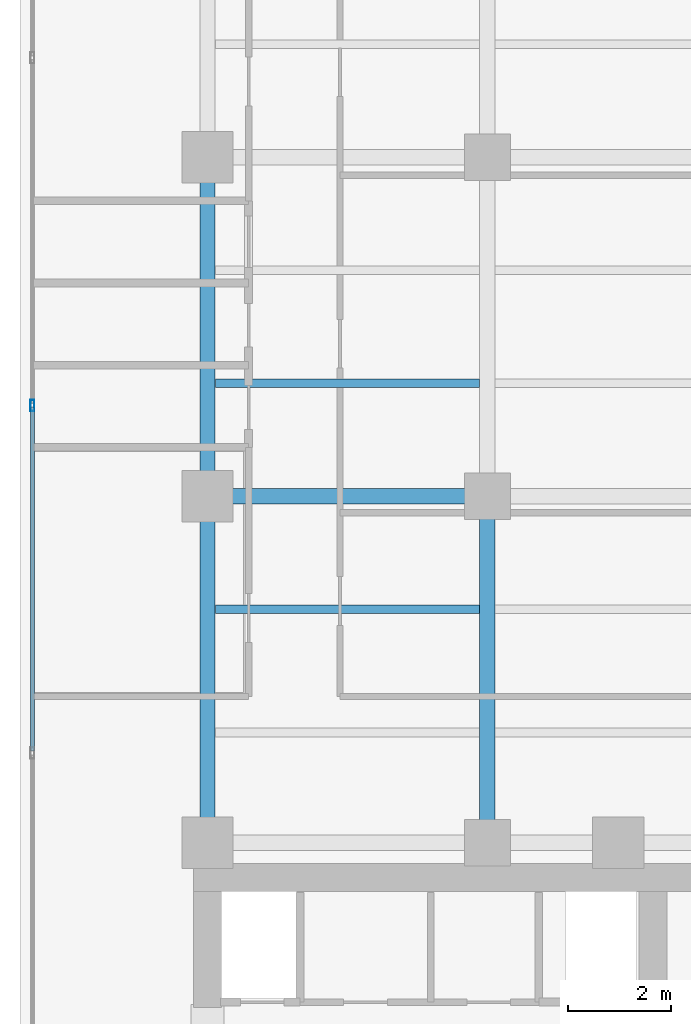
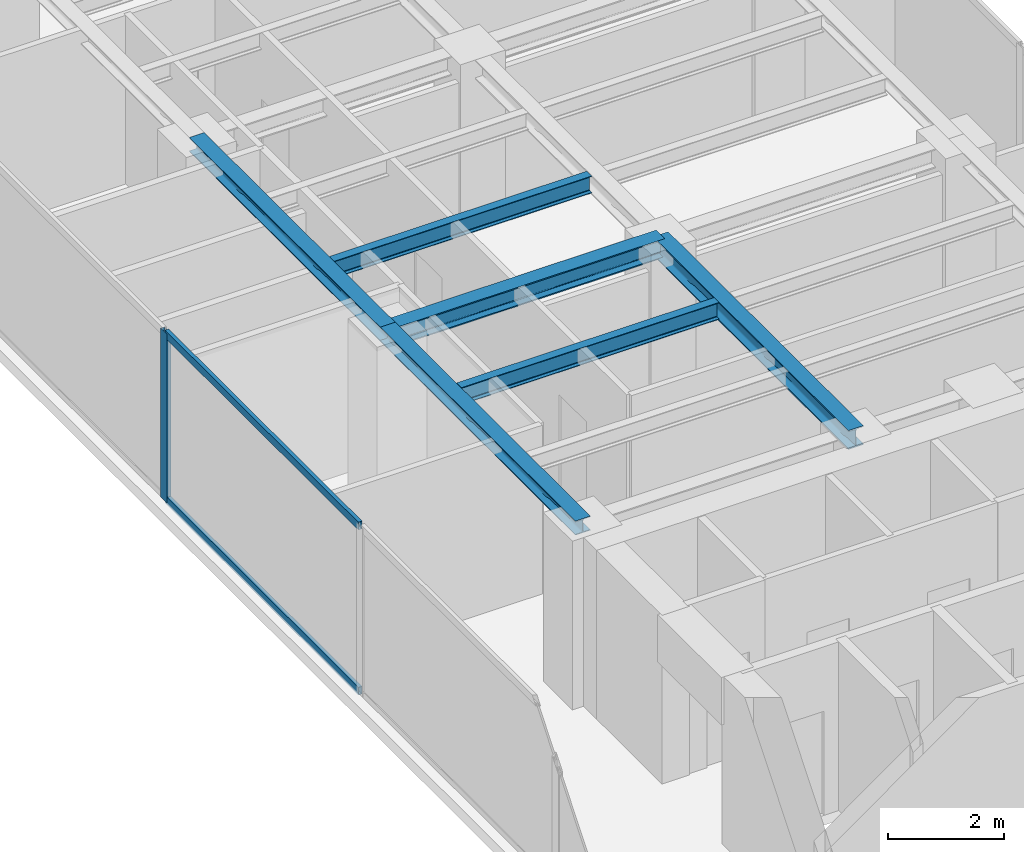
# One storey, part 8 of 24: 6 beams, 3 members, 1 element without a shape of its own.
"""IFC4 building model written with IfcOpenShell, lengths in metres."""

from ifc_helpers import new_model, si_unit, direction, frame, origin, origin_with_axes, origin_2d, place, context, subcontext, project, spatial, hollow_rectangle, i_section, extrude, source, transform, mapped, material, layer, layer_set, material_profile, profile_set, type_object, element, aggregate, save


model = new_model("IFC4")

# Units and contexts
model_context = context("Model", 3, precision=1e-05, world=origin(), true_north=direction((0.0, 1.0)))
body_context = subcontext(model_context, "Body", "Model", "MODEL_VIEW")
ifc_project = project(units=[si_unit("LENGTHUNIT", "METRE"), si_unit("AREAUNIT", "SQUARE_METRE"), si_unit("VOLUMEUNIT", "CUBIC_METRE"), si_unit("PLANEANGLEUNIT", "RADIAN"), si_unit("MASSUNIT", "GRAM", prefix="KILO")], contexts=[model_context])

# Site, building, storey
site_placement = place(None, origin())
site = spatial("IfcSite", under=ifc_project, at=site_placement, CompositionType="ELEMENT")
building_placement = place(site_placement, origin())
building = spatial("IfcBuilding", under=site, at=building_placement, Name="Kolvaren Waterfront Exchange", CompositionType="ELEMENT")
storey_placement = place(building_placement, frame((0.0, 0.0, 238.699951171875)))
storey = spatial("IfcBuildingStorey", under=building, at=storey_placement, Name="L61", CompositionType="ELEMENT", Elevation=238.699951171875)

# Beams
ifc_material_1 = material(Name="Steel S355", Category="steel")
ifc_material_profile_1 = material_profile(ifc_material_1, i_section(OverallWidth=0.300048828125, OverallDepth=0.300048828125, WebThickness=0.010986328125, FlangeThickness=0.01904296875, FilletRadius=0.027099609375, at=origin_2d()), Name="HEB300")
ifc_profile_set_1 = profile_set([ifc_material_profile_1], Name="Steel S355")
beam_type_1 = type_object("IfcBeamType", Name="STR-BM-HEB300", PredefinedType="SPANDREL", material=ifc_profile_set_1)
beam_1_placement = place(storey_placement, frame((7.449951171875, 24.449951171875, 3.41015625), z_axis=(0.0, 1.0, 0.0), x_axis=(-1.0, 0.0, 0.0)))
element("IfcBeam", 1, at=beam_1_placement, inside=storey, type_object=beam_type_1, Name="L61 north-arm edge beam 1", PredefinedType="SPANDREL", context=body_context, shape_type="SweptSolid", body=[
    extrude(i_section(OverallWidth=0.300048828125, OverallDepth=0.300048828125, WebThickness=0.010986328125, FlangeThickness=0.01904296875, FilletRadius=0.027099609375, at=origin_2d()), origin(), (0.0, 0.0, 1.0), 6.75),
])
beam_2_placement = place(storey_placement, frame((7.449951171875, 31.199951171875, 3.41015625), z_axis=(0.0, 1.0, 0.0), x_axis=(-1.0, 0.0, 0.0)))
element("IfcBeam", 2, at=beam_2_placement, inside=storey, type_object=beam_type_1, Name="L61 north-arm edge beam 2", PredefinedType="SPANDREL", context=body_context, shape_type="SweptSolid", body=[
    extrude(i_section(OverallWidth=0.300048828125, OverallDepth=0.300048828125, WebThickness=0.010986328125, FlangeThickness=0.01904296875, FilletRadius=0.027099609375, at=origin_2d()), origin(), (0.0, 0.0, 1.0), 6.60009765625),
])
ifc_material_profile_2 = material_profile(ifc_material_1, i_section(OverallWidth=0.300048828125, OverallDepth=0.39990234375, WebThickness=0.013427734375, FlangeThickness=0.02392578125, FilletRadius=0.027099609375, at=origin_2d()), Name="HEB400")
ifc_profile_set_2 = profile_set([ifc_material_profile_2], Name="Steel S355")
beam_type_2 = type_object("IfcBeamType", Name="STR-BM-HEB400", PredefinedType="BEAM", material=ifc_profile_set_2)
beam_3_placement = place(storey_placement, frame((7.449951171875, 31.199951171875, 3.360107421875), z_axis=(1.0, 0.0, 0.0), x_axis=(0.0, 1.0, 0.0)))
element("IfcBeam", 3, at=beam_3_placement, inside=storey, type_object=beam_type_2, Name="L61 north-arm girder 2A", PredefinedType="BEAM", context=body_context, shape_type="SweptSolid", body=[
    extrude(i_section(OverallWidth=0.300048828125, OverallDepth=0.39990234375, WebThickness=0.013427734375, FlangeThickness=0.02392578125, FilletRadius=0.027099609375, at=origin_2d()), origin(), (0.0, 0.0, 1.0), 5.449951171875),
])
beam_4_placement = place(storey_placement, frame((12.89990234375, 24.449951171875, 3.360107421875), z_axis=(0.0, 1.0, 0.0), x_axis=(-1.0, 0.0, 0.0)))
element("IfcBeam", 4, at=beam_4_placement, inside=storey, type_object=beam_type_2, Name="L61 north-arm edge beam 1", PredefinedType="BEAM", context=body_context, shape_type="SweptSolid", body=[
    extrude(i_section(OverallWidth=0.300048828125, OverallDepth=0.39990234375, WebThickness=0.013427734375, FlangeThickness=0.02392578125, FilletRadius=0.027099609375, at=origin_2d()), origin(), (0.0, 0.0, 1.0), 6.75),
])
ifc_material_profile_3 = material_profile(ifc_material_1, i_section(OverallWidth=0.169921875, OverallDepth=0.360107421875, WebThickness=0.008056640625, FlangeThickness=0.0126953125, FilletRadius=0.01806640625, at=origin_2d()), Name="IPE360")
ifc_profile_set_3 = profile_set([ifc_material_profile_3], Name="Steel S355")
beam_type_3 = type_object("IfcBeamType", Name="STR-BM-IPE360", PredefinedType="JOIST", material=ifc_profile_set_3)
for number, where, z_axis, x_axis, name in (
    (5, (7.60205078125, 29.0, 3.380126953125), (1.0, 0.0, 0.0), (0.0, 1.0, 0.0), "L61 north-arm composite joist 2A"),
    (6, (7.60205078125, 33.39990234375, 3.380126953125), (1.0, 0.0, 0.0), (0.0, 1.0, 0.0), "L61 north-arm composite joist 3A"),
):
    element("IfcBeam", number, at=place(storey_placement, frame(where, z_axis=z_axis, x_axis=x_axis)), inside=storey, type_object=beam_type_3, Name=name, PredefinedType="JOIST", context=body_context, shape_type="SweptSolid", body=[
        extrude(i_section(OverallWidth=0.169921875, OverallDepth=0.360107421875, WebThickness=0.008056640625, FlangeThickness=0.0126953125, FilletRadius=0.01806640625, at=origin_2d()), origin(), (0.0, 0.0, 1.0), 5.14599609375),
    ])

# Curtain wall, members
ifc_material_2 = material(Name="Anodised aluminium 6063-T6", Category="aluminium")
ifc_layer = layer(ifc_material_2, 0.219970703125, Name="Anodised aluminium 6063-T6")
ifc_layer_set = layer_set([ifc_layer], Name="Anodised aluminium 6063-T6")
curtain_wall_type = type_object("IfcCurtainWallType", Name="ARC-CW-SYS2", PredefinedType="USERDEFINED", material=ifc_layer_set)
curtain_wall_placement = place(storey_placement, origin())
curtain_wall = element("IfcCurtainWall", 7, at=curtain_wall_placement, inside=storey, type_object=curtain_wall_type, Name="L61 stick curtain wall CW2 (CW-L61-W)", ObjectType="STICK CURTAIN WALL", PredefinedType="USERDEFINED")
ifc_material_profile_4 = material_profile(ifc_material_2, hollow_rectangle(XDim=0.080078125, YDim=0.219970703125, WallThickness=0.0048828125, at=origin_2d()), Name="ALU-MUL-220x80x5")
ifc_profile_set_4 = profile_set([ifc_material_profile_4], Name="Anodised aluminium 6063-T6")
member_type_1 = type_object("IfcMemberType", Name="ARC-CWM-220", PredefinedType="MULLION", material=ifc_profile_set_4)
shared_shape_1 = source(origin_with_axes(), body_context, "Body", "SweptSolid", [
    extrude(hollow_rectangle(XDim=0.080078125, YDim=0.219970703125, WallThickness=0.0048828125, at=origin_2d()), origin(), (0.0, 0.0, 1.0), 3.56005859375),
])
member_1_placement = place(storey_placement, frame((4.0400390625, 32.966552734375, 0.0), z_axis=(0.0, 0.0, 1.0), x_axis=(-1.0, 0.0, 0.0)))
member_1 = element("IfcMember", 8, at=member_1_placement, type_object=member_type_1, Name="CW2 mullion 5", PredefinedType="MULLION", context=body_context, shape_type="MappedRepresentation", body=[
    mapped(shared_shape_1, transform((0.0, 0.0, 0.0), x_axis=(1.0, 0.0, 0.0), y_axis=(0.0, 1.0, 0.0), z_axis=(0.0, 0.0, 1.0), scale=1.0)),
])
ifc_material_profile_5 = material_profile(ifc_material_2, hollow_rectangle(XDim=0.074951171875, YDim=0.159912109375, WallThickness=0.00439453125, at=origin_2d()), Name="ALU-TRN-160x75x4.5")
ifc_profile_set_5 = profile_set([ifc_material_profile_5], Name="Anodised aluminium 6063-T6")
member_type_2 = type_object("IfcMemberType", Name="ARC-CWT-160", PredefinedType="USERDEFINED", material=ifc_profile_set_5)
shared_shape_2 = source(origin_with_axes(), body_context, "Body", "SweptSolid", [
    extrude(hollow_rectangle(XDim=0.074951171875, YDim=0.159912109375, WallThickness=0.00439453125, at=origin_2d()), origin(), (0.0, 0.0, 1.0), 6.686767578125),
])
member_2_placement = place(storey_placement, frame((4.0400390625, 26.239990234375, 0.03759765625), z_axis=(0.0, 1.0, 0.0), x_axis=(-1.0, 0.0, 0.0)))
member_2 = element("IfcMember", 9, at=member_2_placement, type_object=member_type_2, Name="CW2 transom 4.1", ObjectType="TRANSOM", PredefinedType="USERDEFINED", context=body_context, shape_type="MappedRepresentation", body=[
    mapped(shared_shape_2, transform((0.0, 0.0, 0.0), x_axis=(1.0, 0.0, 0.0), y_axis=(0.0, 1.0, 0.0), z_axis=(0.0, 0.0, 1.0), scale=1.0)),
])
member_3_placement = place(storey_placement, frame((4.0400390625, 26.239990234375, 3.5224609375), z_axis=(0.0, 1.0, 0.0), x_axis=(-1.0, 0.0, 0.0)))
member_3 = element("IfcMember", 10, at=member_3_placement, type_object=member_type_2, Name="CW2 transom 4.2", ObjectType="TRANSOM", PredefinedType="USERDEFINED", context=body_context, shape_type="MappedRepresentation", body=[
    mapped(shared_shape_2, transform((0.0, 0.0, 0.0), x_axis=(1.0, 0.0, 0.0), y_axis=(0.0, 1.0, 0.0), z_axis=(0.0, 0.0, 1.0), scale=1.0)),
])
aggregate(curtain_wall, [member_1, member_2, member_3])

save(model, "model.ifc")
